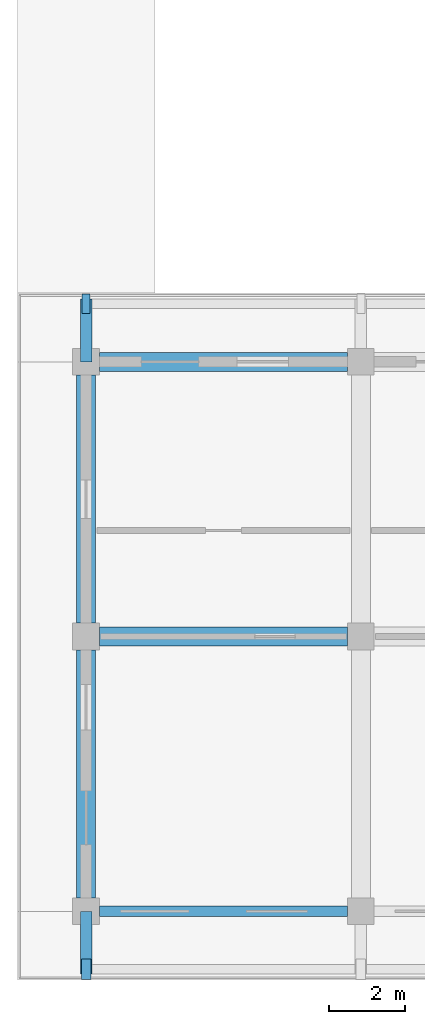
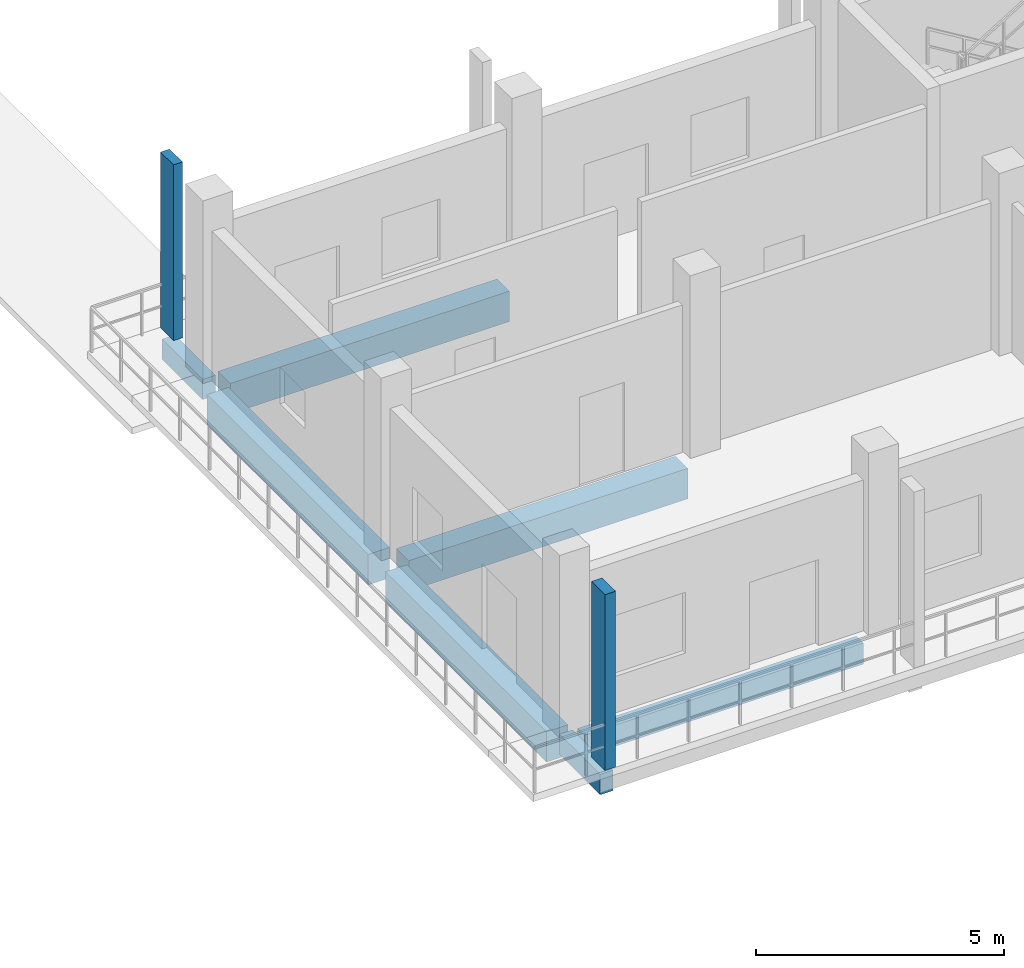
# One storey, part 19 of 110: 7 beams, 2 members.
"""IFC4 building model written with IfcOpenShell, lengths in metres."""

from ifc_helpers import new_model, si_unit, direction, frame, origin, origin_2d, place, context, subcontext, project, spatial, rectangle, extrude, material, material_profile, profile_set, type_object, element, save


model = new_model("IFC4")

# Units and contexts
model_context = context("Model", 3, precision=1e-05, world=origin(), true_north=direction((0.0, 1.0)))
body_context = subcontext(model_context, "Body", "Model", "MODEL_VIEW")
ifc_project = project(units=[si_unit("LENGTHUNIT", "METRE"), si_unit("AREAUNIT", "SQUARE_METRE"), si_unit("VOLUMEUNIT", "CUBIC_METRE"), si_unit("PLANEANGLEUNIT", "RADIAN"), si_unit("MASSUNIT", "GRAM", prefix="KILO")], contexts=[model_context])

# Site, building, storey
site_placement = place(None, origin())
site = spatial("IfcSite", under=ifc_project, at=site_placement, CompositionType="ELEMENT")
building_placement = place(site_placement, origin())
building = spatial("IfcBuilding", under=site, at=building_placement, Name="Suanplinth Sawtooth Commons", CompositionType="ELEMENT")
storey_placement = place(building_placement, frame((0.0, 0.0, 4.5)))
storey = spatial("IfcBuildingStorey", under=building, at=storey_placement, Name="L01", CompositionType="ELEMENT", Elevation=4.5)

# Beams
ifc_material_1 = material(Name="Concrete C40/50", Category="concrete")
ifc_material_profile_1 = material_profile(ifc_material_1, rectangle(XDim=0.5, YDim=0.75, at=origin_2d()), Name="RC-GDR 500x750")
ifc_profile_set_1 = profile_set([ifc_material_profile_1], Name="Concrete C40/50")
beam_type_1 = type_object("IfcBeamType", Name="B-03", PredefinedType="USERDEFINED", material=ifc_profile_set_1)
for number, where, z_axis, x_axis, name in (
    (1, (122.75, 7.199951171875, -0.675048828125), (1.0, 0.0, 0.0), (0.0, 1.0, 0.0), "BMX-L01-C-17-1"),
    (2, (122.75, 14.39990234375, -0.675048828125), (1.0, 0.0, 0.0), (0.0, 1.0, 0.0), "BMX-L01-C-17-2"),
    (3, (122.39990234375, 0.35009765625, -0.675048828125), (0.0, 1.0, 0.0), (-1.0, 0.0, 0.0), "BMY-L01-C-17-0"),
    (4, (122.39990234375, 7.550048828125, -0.675048828125), (0.0, 1.0, 0.0), (-1.0, 0.0, 0.0), "BMY-L01-C-17-1"),
):
    element("IfcBeam", number, at=place(storey_placement, frame(where, z_axis=z_axis, x_axis=x_axis)), inside=storey, type_object=beam_type_1, Name=name, ObjectType="GIRDER", PredefinedType="USERDEFINED", context=body_context, shape_type="SweptSolid", body=[
        extrude(rectangle(XDim=0.5, YDim=0.75, at=origin_2d()), origin(), (0.0, 0.0, 1.0), 6.5),
    ])
ifc_material_2 = material(Name="Precast concrete C40/50", Category="concrete")
ifc_material_profile_2 = material_profile(ifc_material_2, rectangle(XDim=0.300048828125, YDim=0.5, at=origin_2d()), Name="PC-BM 300x500")
ifc_profile_set_2 = profile_set([ifc_material_profile_2], Name="Precast concrete C40/50")
beam_type_2 = type_object("IfcBeamType", Name="B-07", PredefinedType="BEAM", material=ifc_profile_set_2)
beam_1_placement = place(storey_placement, frame((122.39990234375, 0.0, -0.429931640625), z_axis=(0.0, -1.0, 0.0), x_axis=(1.0, 0.0, 0.0)))
element("IfcBeam", 5, at=beam_1_placement, inside=storey, type_object=beam_type_2, Name="Balcony Outrigger L01-C-S-17", PredefinedType="BEAM", context=body_context, shape_type="SweptSolid", body=[
    extrude(rectangle(XDim=0.300048828125, YDim=0.5, at=origin_2d()), origin(), (0.0, 0.0, 1.0), 1.639892578125),
])
beam_2_placement = place(storey_placement, frame((122.39990234375, 14.39990234375, -0.425048828125), z_axis=(0.0, 1.0, 0.0), x_axis=(-1.0, 0.0, 0.0)))
element("IfcBeam", 6, at=beam_2_placement, inside=storey, type_object=beam_type_2, Name="Balcony Outrigger L01-C-NC-17", PredefinedType="BEAM", context=body_context, shape_type="SweptSolid", body=[
    extrude(rectangle(XDim=0.300048828125, YDim=0.5, at=origin_2d()), origin(), (0.0, 0.0, 1.0), 1.64013671875),
])
ifc_material_profile_3 = material_profile(ifc_material_2, rectangle(XDim=0.280029296875, YDim=0.52001953125, at=origin_2d()), Name="PC-SP 280x520")
ifc_profile_set_3 = profile_set([ifc_material_profile_3], Name="Precast concrete C40/50")
beam_type_3 = type_object("IfcBeamType", Name="B-08", PredefinedType="SPANDREL", material=ifc_profile_set_3)
beam_3_placement = place(storey_placement, frame((122.75, 0.0, -0.56005859375), z_axis=(1.0, 0.0, 0.0), x_axis=(0.0, 1.0, 0.0)))
element("IfcBeam", 7, at=beam_3_placement, inside=storey, type_object=beam_type_3, Name="BMX-L01-C-17-0", PredefinedType="SPANDREL", context=body_context, shape_type="SweptSolid", body=[
    extrude(rectangle(XDim=0.280029296875, YDim=0.52001953125, at=origin_2d()), origin(), (0.0, 0.0, 1.0), 6.5),
])

# Members
ifc_material_3 = material(Name="Pigmented precast concrete C40/50", Category="concrete")
ifc_material_profile_4 = material_profile(ifc_material_3, rectangle(XDim=0.25, YDim=0.5400390625, at=origin_2d()), Name="PC-FIN 250x540")
ifc_profile_set_4 = profile_set([ifc_material_profile_4], Name="Pigmented precast concrete C40/50")
member_type_1 = type_object("IfcMemberType", Name="M-11", PredefinedType="USERDEFINED", material=ifc_profile_set_4)
member_1_placement = place(storey_placement, frame((122.39990234375, -1.52001953125, 0.0), z_axis=(0.0, 0.0, 1.0), x_axis=(1.0, 0.0, 0.0)))
element("IfcMember", 8, at=member_1_placement, inside=storey, type_object=member_type_1, Name="Upright Solar Blade L01-C-S-01", ObjectType="SHADING FIN", PredefinedType="USERDEFINED", context=body_context, shape_type="SweptSolid", body=[
    extrude(rectangle(XDim=0.25, YDim=0.5400390625, at=origin_2d()), origin(), (0.0, 0.0, 1.0), 4.330078125),
])
ifc_material_profile_5 = material_profile(ifc_material_3, rectangle(XDim=0.2099609375, YDim=0.52001953125, at=origin_2d()), Name="PC-FIN 210x520")
ifc_profile_set_5 = profile_set([ifc_material_profile_5], Name="Pigmented precast concrete C40/50")
member_type_2 = type_object("IfcMemberType", Name="M-12", PredefinedType="USERDEFINED", material=ifc_profile_set_5)
member_2_placement = place(storey_placement, frame((122.39990234375, 15.919921875, 0.0), z_axis=(0.0, 0.0, 1.0), x_axis=(1.0, 0.0, 0.0)))
element("IfcMember", 9, at=member_2_placement, inside=storey, type_object=member_type_2, Name="Upright Solar Blade L01-C-NC-15", ObjectType="SHADING FIN", PredefinedType="USERDEFINED", context=body_context, shape_type="SweptSolid", body=[
    extrude(rectangle(XDim=0.2099609375, YDim=0.52001953125, at=origin_2d()), origin(), (0.0, 0.0, 1.0), 4.330078125),
])

save(model, "model.ifc")
